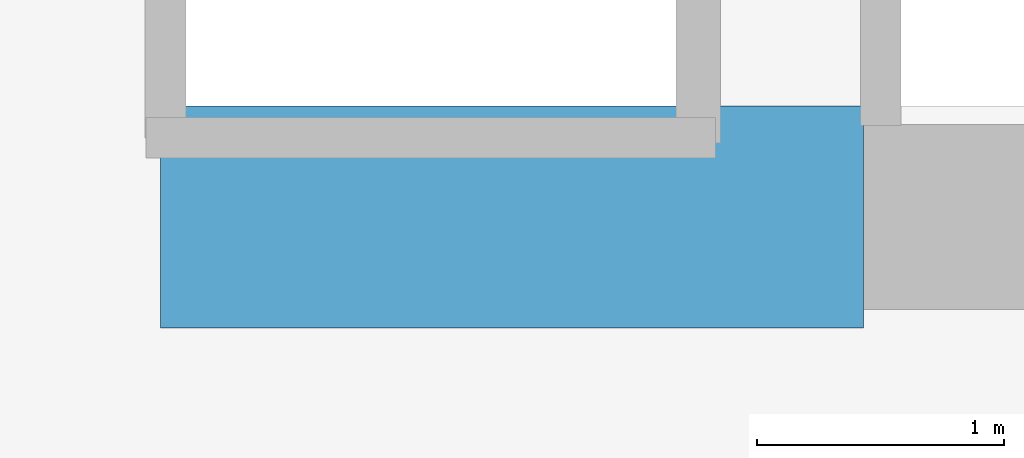
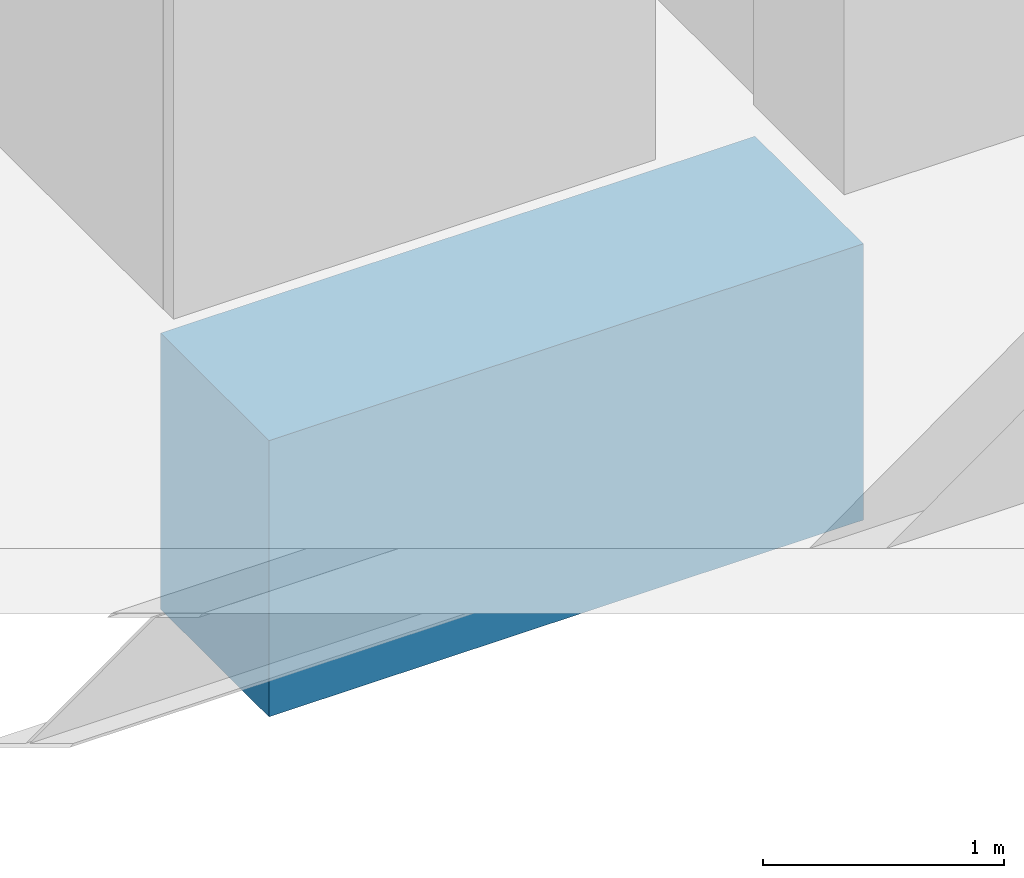
# One storey, part 9 of 33: 1 beam.
"""IFC4 building model written with IfcOpenShell, lengths in metres."""

from ifc_helpers import new_model, si_unit, direction, frame, origin, origin_2d, place, context, subcontext, project, spatial, rectangle, extrude, material, material_profile, profile_set, type_object, element, save


model = new_model("IFC4")

# Units and contexts
model_context = context("Model", 3, precision=1e-05, world=origin(), true_north=direction((0.0, 1.0)))
body_context = subcontext(model_context, "Body", "Model", "MODEL_VIEW")
ifc_project = project(units=[si_unit("LENGTHUNIT", "METRE"), si_unit("AREAUNIT", "SQUARE_METRE"), si_unit("VOLUMEUNIT", "CUBIC_METRE"), si_unit("PLANEANGLEUNIT", "RADIAN"), si_unit("MASSUNIT", "GRAM", prefix="KILO")], contexts=[model_context])

# Site, building, storey
site_placement = place(None, origin())
site = spatial("IfcSite", under=ifc_project, at=site_placement, CompositionType="ELEMENT")
building_placement = place(site_placement, origin())
building = spatial("IfcBuilding", under=site, at=building_placement, Name="Zuhayl Quay Hotel", CompositionType="ELEMENT")
storey_placement = place(building_placement, frame((0.0, 0.0, 154.050048828125)))
storey = spatial("IfcBuildingStorey", under=building, at=storey_placement, Name="L39", CompositionType="ELEMENT", Elevation=154.050048828125)

# Beam
ifc_material = material(Name="Concrete C60/75", Category="concrete")
ifc_material_profile = material_profile(ifc_material, rectangle(XDim=0.89990234375, YDim=1.39990234375, at=origin_2d()), Name="RC900X1400")
ifc_profile_set = profile_set([ifc_material_profile], Name="Concrete C60/75")
beam_type = type_object("IfcBeamType", Name="BM_CB1_RC900", PredefinedType="T_BEAM", material=ifc_profile_set)
beam_placement = place(storey_placement, frame((-11.64990234375, 2.14990234375, -0.920166015625), z_axis=(1.0, 0.0, 0.0), x_axis=(0.0, 1.0, 0.0)))
element("IfcBeam", 1, at=beam_placement, inside=storey, type_object=beam_type, Name="L39 Core Coupling Beam SW", PredefinedType="T_BEAM", context=body_context, shape_type="SweptSolid", body=[
    extrude(rectangle(XDim=0.89990234375, YDim=1.39990234375, at=origin_2d()), origin(), (0.0, 0.0, 1.0), 2.849853515625),
])

save(model, "model.ifc")
